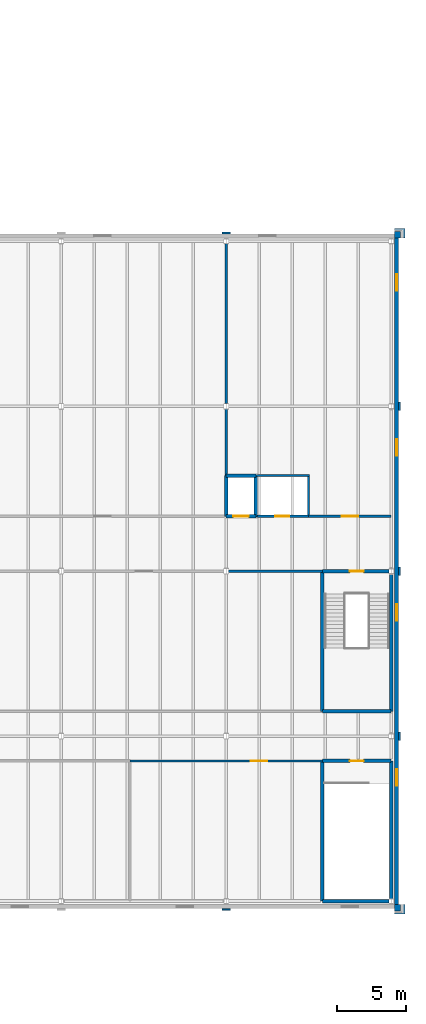
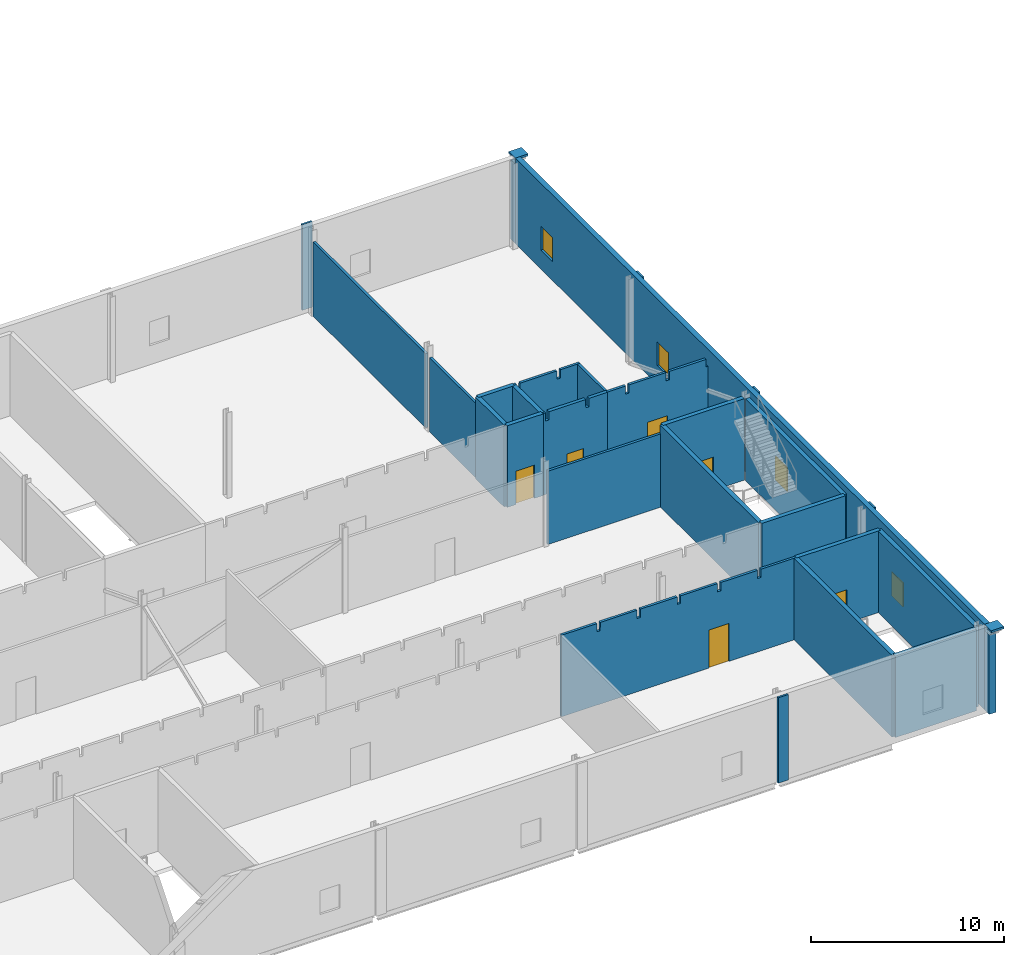
# One storey, part 261 of 321: 30 walls, 6 doors, 4 windows, 10 openings.
"""IFC4 building model written with IfcOpenShell, lengths in metres."""

from ifc_helpers import new_model, si_unit, direction, frame, frame_2d, origin, place, context, subcontext, project, spatial, polyline, rectangle, outline, extrude, material, layer, layer_set, type_object, element, fill, save


model = new_model("IFC4")

# Units and contexts
model_context = context("Model", 3, precision=1e-05, world=origin(), true_north=direction((0.0, 1.0)))
body_context = subcontext(model_context, "Body", "Model", "MODEL_VIEW")
ifc_project = project(units=[si_unit("LENGTHUNIT", "METRE"), si_unit("AREAUNIT", "SQUARE_METRE"), si_unit("VOLUMEUNIT", "CUBIC_METRE"), si_unit("PLANEANGLEUNIT", "RADIAN"), si_unit("MASSUNIT", "GRAM", prefix="KILO")], contexts=[model_context])

# Site, building, storey
site_placement = place(None, origin())
site = spatial("IfcSite", under=ifc_project, at=site_placement, CompositionType="ELEMENT")
building_placement = place(site_placement, origin())
building = spatial("IfcBuilding", under=site, at=building_placement, Name="Ravi Spectrum Wholesale Market", CompositionType="ELEMENT")
storey_placement = place(building_placement, frame((0.0, 0.0, 10.800048828125)))
storey = spatial("IfcBuildingStorey", under=building, at=storey_placement, Name="L02", CompositionType="ELEMENT", Elevation=10.800048828125)

# Wall, opening, door
ifc_material_1 = material(Name="Concrete blockwork", Category="masonry")
ifc_layer_1 = layer(ifc_material_1, 0.199951171875)
ifc_layer_set_1 = layer_set([ifc_layer_1], Name="Concrete blockwork")
wall_type_1 = type_object("IfcWallType", Name="Blockwork partition 200 fire", PredefinedType="PARTITIONING", material=ifc_layer_set_1)
wall_1_placement = place(storey_placement, frame((272.14990234375, 46.0, 0.0), z_axis=(0.0, 0.0, 1.0), x_axis=(1.0, 0.0, 0.0)))
wall_1 = element("IfcWall", 1, at=wall_1_placement, inside=storey, type_object=wall_type_1, Name="CS-WL-L02-092", PredefinedType="PARTITIONING", context=body_context, shape_type="SweptSolid", body=[
    extrude(outline(polyline([(0.0, 0.0), (3.85009765625, 0.0), (3.85009765625, 5.14990234375), (2.7548828125, 5.14990234375), (2.75, 4.6298828125), (2.550048828125, 4.6298828125), (2.544921875, 5.14990234375), (0.35498046875, 5.14990234375), (0.35009765625, 4.6298828125), (0.14990234375, 4.6298828125), (0.14501953125, 5.14990234375), (0.0, 5.14990234375), (0.0, 0.0)])), frame((0.0, 0.10009765625, 0.0), z_axis=(0.0, -1.0, 0.0), x_axis=(1.0, 0.0, 0.0)), (0.0, 0.0, 1.0), 0.199951171875),
])
opening_1_placement = place(wall_1_placement, frame((1.425048828125, 0.0, 0.0)))
opening_1 = element("IfcOpeningElement", 2, at=opening_1_placement, cuts=wall_1, Name="Opening D544", PredefinedType="OPENING", context=body_context, shape_type="SweptSolid", body=[
    extrude(rectangle(XDim=1.0, YDim=2.10009765625, at=frame_2d((0.5, 1.050048828125))), frame((0.0, 0.10986328125, 0.0), z_axis=(0.0, -1.0, 0.0), x_axis=(1.0, 0.0, 0.0)), (0.0, 0.0, 1.0), 0.219970703125),
])
ifc_material_2 = material(Name="Steel door", Category="steel")
door_type_1 = type_object("IfcDoorType", Name="Plant room door 1000 x 2100", OperationType="SINGLE_SWING_LEFT", PredefinedType="DOOR", material=ifc_material_2)
door_1_placement = place(opening_1_placement, origin())
door_1 = element("IfcDoor", 3, at=door_1_placement, inside=storey, type_object=door_type_1, Name="Riser access door D544", OperationType="SINGLE_SWING_RIGHT", OverallHeight=2.10009765625, OverallWidth=1.0, PredefinedType="DOOR", context=body_context, shape_type="SweptSolid", body=[
    extrude(rectangle(XDim=1.0, YDim=2.10009765625, at=frame_2d((0.5, 1.050048828125))), frame((0.0, 0.02490234375, 0.0), z_axis=(0.0, -1.0, 0.0), x_axis=(1.0, 0.0, 0.0)), (0.0, 0.0, 1.0), 0.050048828125),
])
fill(opening_1, door_1)

# Walls
ifc_material_3 = material(Name="Clinker brickwork", Category="masonry")
ifc_layer_2 = layer(ifc_material_3, 0.695068359375)
ifc_layer_set_2 = layer_set([ifc_layer_2], Name="Clinker brickwork")
wall_type_2 = type_object("IfcWallType", Name="Brick corbel 695", PredefinedType="SOLIDWALL", material=ifc_layer_set_2)
for number, where, z_axis, x_axis, name in (
    (4, (282.25, 17.402587890625, 5.27001953125), (0.0, 0.0, 1.0), (1.0, 0.0, 0.0), "CS-WL-L02-038"),
    (5, (282.25, 66.597412109375, 5.27001953125), (0.0, 0.0, 1.0), (1.0, 0.0, 0.0), "CS-WL-L02-042"),
):
    element("IfcWall", number, at=place(storey_placement, frame(where, z_axis=z_axis, x_axis=x_axis)), inside=storey, type_object=wall_type_2, Name=name, PredefinedType="SOLIDWALL", context=body_context, shape_type="SweptSolid", body=[
        extrude(rectangle(XDim=0.760009765625, YDim=0.695068359375, at=frame_2d((0.3798828125, 0.0))), origin(), (0.0, 0.0, 1.0), 0.1298828125),
    ])

# Wall, openings, windows
ifc_material_4 = material(Name="Brick-faced insulated panel", Category="masonry")
ifc_layer_3 = layer(ifc_material_4, 0.300048828125)
ifc_layer_set_3 = layer_set([ifc_layer_3], Name="Brick-faced insulated panel")
wall_type_3 = type_object("IfcWallType", Name="Brick faced insulated panel 300", PredefinedType="SOLIDWALL", material=ifc_layer_set_3)
wall_2_placement = place(storey_placement, frame((282.39990234375, 17.75, 0.0), z_axis=(0.0, 0.0, 1.0), x_axis=(0.0, 1.0, 0.0)))
wall_2 = element("IfcWall", 6, at=wall_2_placement, inside=storey, type_object=wall_type_3, Name="CS-WL-L02-054", PredefinedType="SOLIDWALL", context=body_context, shape_type="SweptSolid", body=[
    extrude(rectangle(XDim=48.5, YDim=0.300048828125, at=frame_2d((24.25, 0.0))), origin(), (0.0, 0.0, 1.0), 5.39990234375),
])
opening_2_placement = place(wall_2_placement, frame((8.64990234375, 0.0, 1.199951171875)))
opening_2 = element("IfcOpeningElement", 7, at=opening_2_placement, cuts=wall_2, Name="Opening W2644", PredefinedType="OPENING", context=body_context, shape_type="SweptSolid", body=[
    extrude(rectangle(XDim=1.199951171875, YDim=1.5, at=frame_2d((0.60009765625, 0.75))), frame((0.0, 0.159912109375, 0.0), z_axis=(0.0, -1.0, 0.0), x_axis=(1.0, 0.0, 0.0)), (0.0, 0.0, 1.0), 0.320068359375),
])
opening_3_placement = place(wall_2_placement, frame((20.64990234375, 0.0, 1.199951171875)))
opening_3 = element("IfcOpeningElement", 8, at=opening_3_placement, cuts=wall_2, Name="Opening W2645", PredefinedType="OPENING", context=body_context, shape_type="SweptSolid", body=[
    extrude(rectangle(XDim=1.199951171875, YDim=1.5, at=frame_2d((0.60009765625, 0.75))), frame((0.0, 0.159912109375, 0.0), z_axis=(0.0, -1.0, 0.0), x_axis=(1.0, 0.0, 0.0)), (0.0, 0.0, 1.0), 0.320068359375),
])
opening_4_placement = place(wall_2_placement, frame((32.64990234375, 0.0, 1.199951171875)))
opening_4 = element("IfcOpeningElement", 9, at=opening_4_placement, cuts=wall_2, Name="Opening W2646", PredefinedType="OPENING", context=body_context, shape_type="SweptSolid", body=[
    extrude(rectangle(XDim=1.199951171875, YDim=1.5, at=frame_2d((0.60009765625, 0.75))), frame((0.0, 0.159912109375, 0.0), z_axis=(0.0, -1.0, 0.0), x_axis=(1.0, 0.0, 0.0)), (0.0, 0.0, 1.0), 0.320068359375),
])
opening_5_placement = place(wall_2_placement, frame((44.64990234375, 0.0, 1.199951171875)))
opening_5 = element("IfcOpeningElement", 10, at=opening_5_placement, cuts=wall_2, Name="Opening W2647", PredefinedType="OPENING", context=body_context, shape_type="SweptSolid", body=[
    extrude(rectangle(XDim=1.199951171875, YDim=1.5, at=frame_2d((0.60009765625, 0.75))), frame((0.0, 0.159912109375, 0.0), z_axis=(0.0, -1.0, 0.0), x_axis=(1.0, 0.0, 0.0)), (0.0, 0.0, 1.0), 0.320068359375),
])
ifc_material_5 = material(Name="Aluminium frame", Category="aluminium")
window_type = type_object("IfcWindowType", Name="Plant room louvred window 1200 x 1500", PartitioningType="SINGLE_PANEL", PredefinedType="WINDOW", material=ifc_material_5)
window_1_placement = place(opening_2_placement, origin())
window_1 = element("IfcWindow", 11, at=window_1_placement, inside=storey, type_object=window_type, Name="Window W2644", OverallHeight=1.5, OverallWidth=1.199951171875, PartitioningType="SINGLE_PANEL", PredefinedType="WINDOW", context=body_context, shape_type="SweptSolid", body=[
    extrude(rectangle(XDim=1.199951171875, YDim=1.5, at=frame_2d((0.60009765625, 0.75))), frame((0.0, 0.030029296875, 0.0), z_axis=(0.0, -1.0, 0.0), x_axis=(1.0, 0.0, 0.0)), (0.0, 0.0, 1.0), 0.06005859375),
])
fill(opening_2, window_1)
window_2_placement = place(opening_3_placement, origin())
window_2 = element("IfcWindow", 12, at=window_2_placement, inside=storey, type_object=window_type, Name="Window W2645", OverallHeight=1.5, OverallWidth=1.199951171875, PartitioningType="SINGLE_PANEL", PredefinedType="WINDOW", context=body_context, shape_type="SweptSolid", body=[
    extrude(rectangle(XDim=1.199951171875, YDim=1.5, at=frame_2d((0.60009765625, 0.75))), frame((0.0, 0.030029296875, 0.0), z_axis=(0.0, -1.0, 0.0), x_axis=(1.0, 0.0, 0.0)), (0.0, 0.0, 1.0), 0.06005859375),
])
fill(opening_3, window_2)
window_3_placement = place(opening_4_placement, origin())
window_3 = element("IfcWindow", 13, at=window_3_placement, inside=storey, type_object=window_type, Name="Window W2646", OverallHeight=1.5, OverallWidth=1.199951171875, PartitioningType="SINGLE_PANEL", PredefinedType="WINDOW", context=body_context, shape_type="SweptSolid", body=[
    extrude(rectangle(XDim=1.199951171875, YDim=1.5, at=frame_2d((0.60009765625, 0.75))), frame((0.0, 0.030029296875, 0.0), z_axis=(0.0, -1.0, 0.0), x_axis=(1.0, 0.0, 0.0)), (0.0, 0.0, 1.0), 0.06005859375),
])
fill(opening_4, window_3)
window_4_placement = place(opening_5_placement, origin())
window_4 = element("IfcWindow", 14, at=window_4_placement, inside=storey, type_object=window_type, Name="Window W2647", OverallHeight=1.5, OverallWidth=1.199951171875, PartitioningType="SINGLE_PANEL", PredefinedType="WINDOW", context=body_context, shape_type="SweptSolid", body=[
    extrude(rectangle(XDim=1.199951171875, YDim=1.5, at=frame_2d((0.60009765625, 0.75))), frame((0.0, 0.030029296875, 0.0), z_axis=(0.0, -1.0, 0.0), x_axis=(1.0, 0.0, 0.0)), (0.0, 0.0, 1.0), 0.06005859375),
])
fill(opening_5, window_4)

# Walls
ifc_material_6 = material(Name="Clinker brickwork", Category="masonry")
ifc_layer_4 = layer(ifc_material_6, 0.485107421875)
ifc_layer_set_4 = layer_set([ifc_layer_4], Name="Clinker brickwork")
wall_type_4 = type_object("IfcWallType", Name="Brick pier 485", PredefinedType="SOLIDWALL", material=ifc_layer_set_4)
for number, where, z_axis, x_axis, name in (
    (15, (282.25, 17.507568359375, 0.0), (0.0, 0.0, 1.0), (1.0, 0.0, 0.0), "CS-WL-L02-035"),
    (16, (282.25, 66.492431640625, 0.0), (0.0, 0.0, 1.0), (1.0, 0.0, 0.0), "CS-WL-L02-039"),
):
    element("IfcWall", number, at=place(storey_placement, frame(where, z_axis=z_axis, x_axis=x_axis)), inside=storey, type_object=wall_type_4, Name=name, PredefinedType="SOLIDWALL", context=body_context, shape_type="SweptSolid", body=[
        extrude(rectangle(XDim=0.4150390625, YDim=0.485107421875, at=frame_2d((0.20751953125, 0.0))), origin(), (0.0, 0.0, 1.0), 5.010009765625),
    ])
ifc_material_7 = material(Name="Facing brickwork", Category="masonry")
ifc_layer_5 = layer(ifc_material_7, 0.114990234375)
ifc_layer_set_5 = layer_set([ifc_layer_5], Name="Facing brickwork")
wall_type_5 = type_object("IfcWallType", Name="Brick pilaster 115", PredefinedType="SOLIDWALL", material=ifc_layer_set_5)
for number, where, z_axis, x_axis, name in (
    (17, (269.699951171875, 17.392578125, 0.0), (0.0, 0.0, 1.0), (1.0, 0.0, 0.0), "CS-WL-L02-053"),
    (18, (282.607421875, 29.699951171875, 0.0), (0.0, 0.0, 1.0), (0.0, 1.0, 0.0), "CS-WL-L02-055"),
    (19, (282.607421875, 41.699951171875, 0.0), (0.0, 0.0, 1.0), (0.0, 1.0, 0.0), "CS-WL-L02-056"),
    (20, (282.607421875, 53.699951171875, 0.0), (0.0, 0.0, 1.0), (0.0, 1.0, 0.0), "CS-WL-L02-057"),
    (21, (270.300048828125, 66.607421875, 0.0), (0.0, 0.0, 1.0), (-1.0, 0.0, 0.0), "CS-WL-L02-059"),
):
    element("IfcWall", number, at=place(storey_placement, frame(where, z_axis=z_axis, x_axis=x_axis)), inside=storey, type_object=wall_type_5, Name=name, PredefinedType="SOLIDWALL", context=body_context, shape_type="SweptSolid", body=[
        extrude(rectangle(XDim=0.60009765625, YDim=0.114990234375, at=frame_2d((0.300048828125, 0.0))), origin(), (0.0, 0.0, 1.0), 5.39990234375),
    ])

# Wall, opening, door
ifc_material_8 = material(Name="Insulated panel")
ifc_layer_6 = layer(ifc_material_8, 0.14990234375)
ifc_layer_set_6 = layer_set([ifc_layer_6], Name="Insulated panel")
wall_type_6 = type_object("IfcWallType", Name="Cold store panel 150", PredefinedType="PARTITIONING", material=ifc_layer_set_6)
wall_3_placement = place(storey_placement, frame((263.0, 28.199951171875, 0.0), z_axis=(0.0, 0.0, 1.0), x_axis=(1.0, 0.0, 0.0)))
wall_3 = element("IfcWall", 22, at=wall_3_placement, inside=storey, type_object=wall_type_6, Name="CS-WL-L02-074", PredefinedType="PARTITIONING", context=body_context, shape_type="SweptSolid", body=[
    extrude(outline(polyline([(0.0, 0.0), (14.0, 0.0), (14.0, 5.14990234375), (11.905029296875, 5.14990234375), (11.89990234375, 4.6298828125), (11.699951171875, 4.6298828125), (11.695068359375, 5.14990234375), (9.5048828125, 5.14990234375), (9.5, 4.6298828125), (9.300048828125, 4.6298828125), (9.294921875, 5.14990234375), (7.10009765625, 5.14990234375), (7.094970703125, 4.679931640625), (6.905029296875, 4.679931640625), (6.89990234375, 5.14990234375), (4.705078125, 5.14990234375), (4.699951171875, 4.6298828125), (4.5, 4.6298828125), (4.4951171875, 5.14990234375), (2.304931640625, 5.14990234375), (2.300048828125, 4.6298828125), (2.10009765625, 4.6298828125), (2.094970703125, 5.14990234375), (0.0, 5.14990234375), (0.0, 0.0)])), frame((0.0, 0.074951171875, 0.0), z_axis=(0.0, -1.0, 0.0), x_axis=(1.0, 0.0, 0.0)), (0.0, 0.0, 1.0), 0.14990234375),
])
opening_6_placement = place(wall_3_placement, frame((8.800048828125, 0.0, 0.0)))
opening_6 = element("IfcOpeningElement", 23, at=opening_6_placement, cuts=wall_3, Name="Opening D534", PredefinedType="OPENING", context=body_context, shape_type="SweptSolid", body=[
    extrude(rectangle(XDim=1.199951171875, YDim=2.39990234375, at=frame_2d((0.60009765625, 1.199951171875))), frame((0.0, 0.0849609375, 0.0), z_axis=(0.0, -1.0, 0.0), x_axis=(1.0, 0.0, 0.0)), (0.0, 0.0, 1.0), 0.169921875),
])
ifc_material_9 = material(Name="Insulated panel door")
door_type_2 = type_object("IfcDoorType", Name="Cold store insulated door 1200 x 2400", OperationType="SINGLE_SWING_LEFT", PredefinedType="DOOR", material=ifc_material_9)
door_2_placement = place(opening_6_placement, origin())
door_2 = element("IfcDoor", 24, at=door_2_placement, inside=storey, type_object=door_type_2, Name="Door D534", OperationType="SINGLE_SWING_LEFT", OverallHeight=2.39990234375, OverallWidth=1.199951171875, PredefinedType="DOOR", context=body_context, shape_type="SweptSolid", body=[
    extrude(rectangle(XDim=1.199951171875, YDim=2.39990234375, at=frame_2d((0.60009765625, 1.199951171875))), frame((0.0, 0.02490234375, 0.0), z_axis=(0.0, -1.0, 0.0), x_axis=(1.0, 0.0, 0.0)), (0.0, 0.0, 1.0), 0.050048828125),
])
fill(opening_6, door_2)

# Wall
wall_4_placement = place(storey_placement, frame((270.14990234375, 42.0, 0.0), z_axis=(0.0, 0.0, 1.0), x_axis=(1.0, 0.0, 0.0)))
element("IfcWall", 25, at=wall_4_placement, inside=storey, type_object=wall_type_6, Name="CS-WL-L02-086", PredefinedType="PARTITIONING", context=body_context, shape_type="SweptSolid", body=[
    extrude(rectangle(XDim=6.85009765625, YDim=0.14990234375, at=frame_2d((3.425048828125, 0.0))), origin(), (0.0, 0.0, 1.0), 4.6298828125),
])

# Wall, opening, door
wall_5_placement = place(storey_placement, frame((276.0, 46.0, 0.0), z_axis=(0.0, 0.0, 1.0), x_axis=(1.0, 0.0, 0.0)))
wall_5 = element("IfcWall", 26, at=wall_5_placement, inside=storey, type_object=wall_type_6, Name="CS-WL-L02-093", PredefinedType="PARTITIONING", context=body_context, shape_type="SweptSolid", body=[
    extrude(outline(polyline([(0.0, 0.0), (6.0, 0.0), (6.0, 4.679931640625), (5.905029296875, 4.679931640625), (5.89990234375, 5.14990234375), (3.705078125, 5.14990234375), (3.699951171875, 4.6298828125), (3.5, 4.6298828125), (3.4951171875, 5.14990234375), (1.304931640625, 5.14990234375), (1.300048828125, 4.6298828125), (1.10009765625, 4.6298828125), (1.094970703125, 5.14990234375), (0.0, 5.14990234375), (0.0, 0.0)])), frame((0.0, 0.074951171875, 0.0), z_axis=(0.0, -1.0, 0.0), x_axis=(1.0, 0.0, 0.0)), (0.0, 0.0, 1.0), 0.14990234375),
])
opening_7_placement = place(wall_5_placement, frame((2.39990234375, 0.0, 0.0)))
opening_7 = element("IfcOpeningElement", 27, at=opening_7_placement, cuts=wall_5, Name="Opening D542", PredefinedType="OPENING", context=body_context, shape_type="SweptSolid", body=[
    extrude(rectangle(XDim=1.199951171875, YDim=2.39990234375, at=frame_2d((0.60009765625, 1.199951171875))), frame((0.0, 0.0849609375, 0.0), z_axis=(0.0, -1.0, 0.0), x_axis=(1.0, 0.0, 0.0)), (0.0, 0.0, 1.0), 0.169921875),
])
door_3_placement = place(opening_7_placement, origin())
door_3 = element("IfcDoor", 28, at=door_3_placement, inside=storey, type_object=door_type_2, Name="Door D542", OperationType="SINGLE_SWING_LEFT", OverallHeight=2.39990234375, OverallWidth=1.199951171875, PredefinedType="DOOR", context=body_context, shape_type="SweptSolid", body=[
    extrude(rectangle(XDim=1.199951171875, YDim=2.39990234375, at=frame_2d((0.60009765625, 1.199951171875))), frame((0.0, 0.02490234375, 0.0), z_axis=(0.0, -1.0, 0.0), x_axis=(1.0, 0.0, 0.0)), (0.0, 0.0, 1.0), 0.050048828125),
])
fill(opening_7, door_3)

# Walls
wall_6_placement = place(storey_placement, frame((272.14990234375, 48.949951171875, 0.0), z_axis=(0.0, 0.0, 1.0), x_axis=(1.0, 0.0, 0.0)))
element("IfcWall", 29, at=wall_6_placement, inside=storey, type_object=wall_type_6, Name="CS-WL-L02-095", PredefinedType="PARTITIONING", context=body_context, shape_type="SweptSolid", body=[
    extrude(outline(polyline([(0.0, 0.0), (3.925048828125, 0.0), (3.925048828125, 5.14990234375), (2.7548828125, 5.14990234375), (2.75, 4.6298828125), (2.550048828125, 4.6298828125), (2.544921875, 5.14990234375), (0.35498046875, 5.14990234375), (0.35009765625, 4.6298828125), (0.14990234375, 4.6298828125), (0.14501953125, 5.14990234375), (0.0, 5.14990234375), (0.0, 0.0)])), frame((0.0, 0.074951171875, 0.0), z_axis=(0.0, -1.0, 0.0), x_axis=(1.0, 0.0, 0.0)), (0.0, 0.0, 1.0), 0.14990234375),
])
wall_7_placement = place(storey_placement, frame((270.0, 48.949951171875, 0.0), z_axis=(0.0, 0.0, 1.0), x_axis=(0.0, 1.0, 0.0)))
element("IfcWall", 30, at=wall_7_placement, inside=storey, type_object=wall_type_6, Name="CS-WL-L02-104", PredefinedType="PARTITIONING", context=body_context, shape_type="SweptSolid", body=[
    extrude(rectangle(XDim=4.85009765625, YDim=0.14990234375, at=frame_2d((2.425048828125, 0.0))), origin(), (0.0, 0.0, 1.0), 4.679931640625),
])
wall_8_placement = place(storey_placement, frame((270.0, 54.199951171875, 0.0), z_axis=(0.0, 0.0, 1.0), x_axis=(0.0, 1.0, 0.0)))
element("IfcWall", 31, at=wall_8_placement, inside=storey, type_object=wall_type_6, Name="CS-WL-L02-105", PredefinedType="PARTITIONING", context=body_context, shape_type="SweptSolid", body=[
    extrude(rectangle(XDim=11.630126953125, YDim=0.14990234375, at=frame_2d((5.81494140625, 0.0))), origin(), (0.0, 0.0, 1.0), 4.679931640625),
])
wall_9_placement = place(storey_placement, frame((276.0, 46.10009765625, 0.0), z_axis=(0.0, 0.0, 1.0), x_axis=(0.0, 1.0, 0.0)))
element("IfcWall", 32, at=wall_9_placement, inside=storey, type_object=wall_type_6, Name="CS-WL-L02-106", PredefinedType="PARTITIONING", context=body_context, shape_type="SweptSolid", body=[
    extrude(rectangle(XDim=2.77490234375, YDim=0.14990234375, at=frame_2d((1.387451171875, 0.0))), origin(), (0.0, 0.0, 1.0), 5.14990234375),
])
ifc_material_10 = material(Name="Concrete C35/45", Category="concrete")
ifc_layer_7 = layer(ifc_material_10, 0.25)
ifc_layer_set_7 = layer_set([ifc_layer_7], Name="Concrete C35/45")
wall_type_7 = type_object("IfcWallType", Name="Concrete core wall 250", PredefinedType="SHEAR", material=ifc_layer_set_7)
wall_10_placement = place(storey_placement, frame((277.0, 31.800048828125, 0.0), z_axis=(0.0, 0.0, 1.0), x_axis=(1.0, 0.0, 0.0)))
element("IfcWall", 33, at=wall_10_placement, inside=storey, type_object=wall_type_7, Name="Stair core wall Stair S-CS-2", PredefinedType="SHEAR", context=body_context, shape_type="SweptSolid", body=[
    extrude(rectangle(XDim=5.0, YDim=0.25, at=frame_2d((2.5, 0.0))), origin(), (0.0, 0.0, 1.0), 5.14990234375),
])
wall_11_placement = place(storey_placement, frame((282.0, 31.800048828125, 0.0), z_axis=(0.0, 0.0, 1.0), x_axis=(0.0, 1.0, 0.0)))
element("IfcWall", 34, at=wall_11_placement, inside=storey, type_object=wall_type_7, Name="Stair core wall Stair S-CS-2", PredefinedType="SHEAR", context=body_context, shape_type="SweptSolid", body=[
    extrude(rectangle(XDim=10.030029296875, YDim=0.25, at=frame_2d((5.01513671875, 0.0))), origin(), (0.0, 0.0, 1.0), 5.14990234375),
])

# Wall, opening, door
wall_12_placement = place(storey_placement, frame((277.0, 42.0, 0.0), z_axis=(0.0, 0.0, 1.0), x_axis=(1.0, 0.0, 0.0)))
wall_12 = element("IfcWall", 35, at=wall_12_placement, inside=storey, type_object=wall_type_7, Name="Stair core wall Stair S-CS-2", PredefinedType="SHEAR", context=body_context, shape_type="SweptSolid", body=[
    extrude(rectangle(XDim=4.85009765625, YDim=0.25, at=frame_2d((2.425048828125, 0.0))), origin(), (0.0, 0.0, 1.0), 5.14990234375),
])
opening_8_placement = place(wall_12_placement, frame((2.0, 0.0, 0.0)))
opening_8 = element("IfcOpeningElement", 36, at=opening_8_placement, cuts=wall_12, Name="Opening D521", PredefinedType="OPENING", context=body_context, shape_type="SweptSolid", body=[
    extrude(rectangle(XDim=1.0, YDim=2.10009765625, at=frame_2d((0.5, 1.050048828125))), frame((0.0, 0.135009765625, 0.0), z_axis=(0.0, -1.0, 0.0), x_axis=(1.0, 0.0, 0.0)), (0.0, 0.0, 1.0), 0.27001953125),
])
ifc_material_11 = material(Name="Steel door", Category="steel")
door_type_3 = type_object("IfcDoorType", Name="Stair door 1000 x 2100", OperationType="SINGLE_SWING_LEFT", PredefinedType="DOOR", material=ifc_material_11)
door_4_placement = place(opening_8_placement, origin())
door_4 = element("IfcDoor", 37, at=door_4_placement, inside=storey, type_object=door_type_3, Name="Door D521", OperationType="SINGLE_SWING_RIGHT", OverallHeight=2.10009765625, OverallWidth=1.0, PredefinedType="DOOR", context=body_context, shape_type="SweptSolid", body=[
    extrude(rectangle(XDim=1.0, YDim=2.10009765625, at=frame_2d((0.5, 1.050048828125))), frame((0.0, 0.02490234375, 0.0), z_axis=(0.0, -1.0, 0.0), x_axis=(1.0, 0.0, 0.0)), (0.0, 0.0, 1.0), 0.050048828125),
])
fill(opening_8, door_4)

# Walls
wall_13_placement = place(storey_placement, frame((277.0, 31.800048828125, 0.0), z_axis=(0.0, 0.0, 1.0), x_axis=(0.0, 1.0, 0.0)))
element("IfcWall", 38, at=wall_13_placement, inside=storey, type_object=wall_type_7, Name="Stair core wall Stair S-CS-2", PredefinedType="SHEAR", context=body_context, shape_type="SweptSolid", body=[
    extrude(rectangle(XDim=10.199951171875, YDim=0.25, at=frame_2d((5.10009765625, 0.0))), origin(), (0.0, 0.0, 1.0), 5.14990234375),
])
wall_14_placement = place(storey_placement, frame((277.0, 18.0, 0.0), z_axis=(0.0, 0.0, 1.0), x_axis=(1.0, 0.0, 0.0)))
element("IfcWall", 39, at=wall_14_placement, inside=storey, type_object=wall_type_7, Name="Stair core wall Stair S-CS-7", PredefinedType="SHEAR", context=body_context, shape_type="SweptSolid", body=[
    extrude(rectangle(XDim=4.85009765625, YDim=0.25, at=frame_2d((2.425048828125, 0.0))), origin(), (0.0, 0.0, 1.0), 5.14990234375),
])
wall_15_placement = place(storey_placement, frame((282.0, 18.169921875, 0.0), z_axis=(0.0, 0.0, 1.0), x_axis=(0.0, 1.0, 0.0)))
element("IfcWall", 40, at=wall_15_placement, inside=storey, type_object=wall_type_7, Name="Stair core wall Stair S-CS-7", PredefinedType="SHEAR", context=body_context, shape_type="SweptSolid", body=[
    extrude(rectangle(XDim=10.030029296875, YDim=0.25, at=frame_2d((5.01513671875, 0.0))), origin(), (0.0, 0.0, 1.0), 5.14990234375),
])

# Wall, opening, door
wall_16_placement = place(storey_placement, frame((277.0, 28.199951171875, 0.0), z_axis=(0.0, 0.0, 1.0), x_axis=(1.0, 0.0, 0.0)))
wall_16 = element("IfcWall", 41, at=wall_16_placement, inside=storey, type_object=wall_type_7, Name="Stair core wall Stair S-CS-7", PredefinedType="SHEAR", context=body_context, shape_type="SweptSolid", body=[
    extrude(rectangle(XDim=5.0, YDim=0.25, at=frame_2d((2.5, 0.0))), origin(), (0.0, 0.0, 1.0), 5.14990234375),
])
opening_9_placement = place(wall_16_placement, frame((2.0, 0.0, 0.0)))
opening_9 = element("IfcOpeningElement", 42, at=opening_9_placement, cuts=wall_16, Name="Opening D526", PredefinedType="OPENING", context=body_context, shape_type="SweptSolid", body=[
    extrude(rectangle(XDim=1.0, YDim=2.10009765625, at=frame_2d((0.5, 1.050048828125))), frame((0.0, 0.135009765625, 0.0), z_axis=(0.0, -1.0, 0.0), x_axis=(1.0, 0.0, 0.0)), (0.0, 0.0, 1.0), 0.27001953125),
])
door_5_placement = place(opening_9_placement, origin())
door_5 = element("IfcDoor", 43, at=door_5_placement, inside=storey, type_object=door_type_3, Name="Door D526", OperationType="SINGLE_SWING_RIGHT", OverallHeight=2.10009765625, OverallWidth=1.0, PredefinedType="DOOR", context=body_context, shape_type="SweptSolid", body=[
    extrude(rectangle(XDim=1.0, YDim=2.10009765625, at=frame_2d((0.5, 1.050048828125))), frame((0.0, 0.02490234375, 0.0), z_axis=(0.0, -1.0, 0.0), x_axis=(1.0, 0.0, 0.0)), (0.0, 0.0, 1.0), 0.050048828125),
])
fill(opening_9, door_5)

# Walls
wall_17_placement = place(storey_placement, frame((277.0, 18.0, 0.0), z_axis=(0.0, 0.0, 1.0), x_axis=(0.0, 1.0, 0.0)))
element("IfcWall", 44, at=wall_17_placement, inside=storey, type_object=wall_type_7, Name="Stair core wall Stair S-CS-7", PredefinedType="SHEAR", context=body_context, shape_type="SweptSolid", body=[
    extrude(rectangle(XDim=10.199951171875, YDim=0.25, at=frame_2d((5.10009765625, 0.0))), origin(), (0.0, 0.0, 1.0), 5.14990234375),
])
ifc_material_12 = material(Name="Concrete C35/45", Category="concrete")
ifc_layer_8 = layer(ifc_material_12, 0.25)
ifc_layer_set_8 = layer_set([ifc_layer_8], Name="Concrete C35/45")
wall_type_8 = type_object("IfcWallType", Name="Shaft wall 250", PredefinedType="SHEAR", material=ifc_layer_set_8)
wall_18_placement = place(storey_placement, frame((272.14990234375, 46.0, 0.0), z_axis=(0.0, 0.0, 1.0), x_axis=(0.0, 1.0, 0.0)))
element("IfcWall", 45, at=wall_18_placement, inside=storey, type_object=wall_type_8, Name="CS-WL-L02-LF-CS-2-E", PredefinedType="SHEAR", context=body_context, shape_type="SweptSolid", body=[
    extrude(rectangle(XDim=2.949951171875, YDim=0.25, at=frame_2d((1.47509765625, 0.0))), origin(), (0.0, 0.0, 1.0), 5.14990234375),
])
wall_19_placement = place(storey_placement, frame((272.14990234375, 48.949951171875, 0.0), z_axis=(0.0, 0.0, 1.0), x_axis=(-1.0, 0.0, 0.0)))
element("IfcWall", 46, at=wall_19_placement, inside=storey, type_object=wall_type_8, Name="CS-WL-L02-LF-CS-2-N", PredefinedType="SHEAR", context=body_context, shape_type="SweptSolid", body=[
    extrude(rectangle(XDim=2.14990234375, YDim=0.25, at=frame_2d((1.074951171875, 0.0))), origin(), (0.0, 0.0, 1.0), 5.14990234375),
])

# Wall, opening, door
wall_20_placement = place(storey_placement, frame((270.0, 46.0, 0.0), z_axis=(0.0, 0.0, 1.0), x_axis=(1.0, 0.0, 0.0)))
wall_20 = element("IfcWall", 47, at=wall_20_placement, inside=storey, type_object=wall_type_8, Name="CS-WL-L02-LF-CS-2-S", PredefinedType="SHEAR", context=body_context, shape_type="SweptSolid", body=[
    extrude(rectangle(XDim=2.14990234375, YDim=0.25, at=frame_2d((1.074951171875, 0.0))), origin(), (0.0, 0.0, 1.0), 5.14990234375),
])
opening_10_placement = place(wall_20_placement, frame((0.52490234375, 0.0, 0.0)))
opening_10 = element("IfcOpeningElement", 48, at=opening_10_placement, cuts=wall_20, Name="Opening D528", PredefinedType="OPENING", context=body_context, shape_type="SweptSolid", body=[
    extrude(rectangle(XDim=1.10009765625, YDim=2.10009765625, at=frame_2d((0.550048828125, 1.050048828125))), frame((0.0, 0.135009765625, 0.0), z_axis=(0.0, -1.0, 0.0), x_axis=(1.0, 0.0, 0.0)), (0.0, 0.0, 1.0), 0.27001953125),
])
ifc_material_13 = material(Name="Stainless steel door", Category="steel")
door_type_4 = type_object("IfcDoorType", Name="Lift landing door 1100 x 2100", OperationType="SLIDING_TO_LEFT", PredefinedType="DOOR", material=ifc_material_13)
door_6_placement = place(opening_10_placement, origin())
door_6 = element("IfcDoor", 49, at=door_6_placement, inside=storey, type_object=door_type_4, Name="Landing door LF-CS-2 L02", OperationType="SLIDING_TO_LEFT", OverallHeight=2.10009765625, OverallWidth=1.10009765625, PredefinedType="DOOR", context=body_context, shape_type="SweptSolid", body=[
    extrude(rectangle(XDim=1.10009765625, YDim=2.10009765625, at=frame_2d((0.550048828125, 1.050048828125))), frame((0.0, 0.02490234375, 0.0), z_axis=(0.0, -1.0, 0.0), x_axis=(1.0, 0.0, 0.0)), (0.0, 0.0, 1.0), 0.050048828125),
])
fill(opening_10, door_6)

# Wall
wall_21_placement = place(storey_placement, frame((270.0, 48.949951171875, 0.0), z_axis=(0.0, 0.0, 1.0), x_axis=(0.0, -1.0, 0.0)))
element("IfcWall", 50, at=wall_21_placement, inside=storey, type_object=wall_type_8, Name="CS-WL-L02-LF-CS-2-W", PredefinedType="SHEAR", context=body_context, shape_type="SweptSolid", body=[
    extrude(rectangle(XDim=2.949951171875, YDim=0.25, at=frame_2d((1.47509765625, 0.0))), origin(), (0.0, 0.0, 1.0), 5.14990234375),
])

save(model, "model.ifc")
